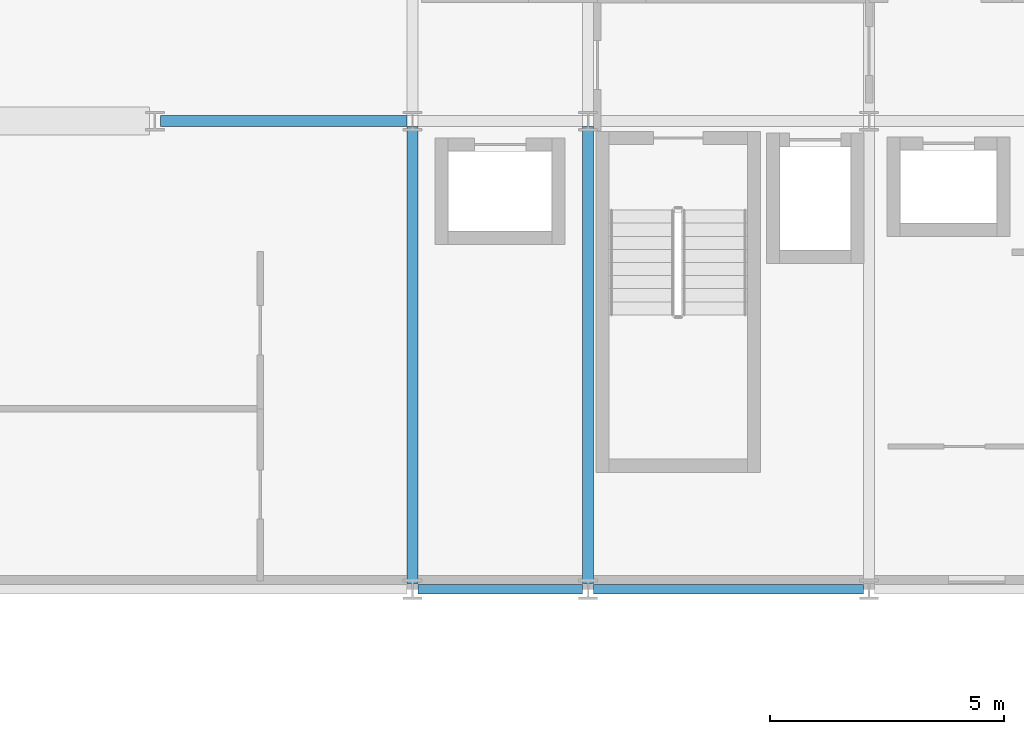
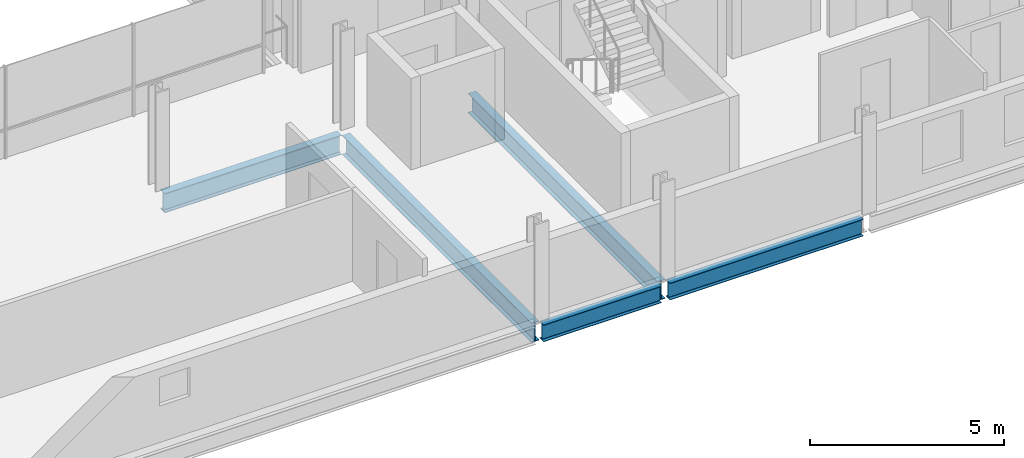
# One storey, part 12 of 41: 5 beams.
"""IFC4 building model written with IfcOpenShell, lengths in metres."""

from ifc_helpers import new_model, si_unit, direction, frame, origin, origin_2d, place, context, subcontext, project, spatial, i_section, extrude, material, material_profile, profile_set, type_object, element, save


model = new_model("IFC4")

# Units and contexts
model_context = context("Model", 3, precision=1e-05, world=origin(), true_north=direction((0.0, 1.0)))
body_context = subcontext(model_context, "Body", "Model", "MODEL_VIEW")
ifc_project = project(units=[si_unit("LENGTHUNIT", "METRE"), si_unit("AREAUNIT", "SQUARE_METRE"), si_unit("VOLUMEUNIT", "CUBIC_METRE"), si_unit("PLANEANGLEUNIT", "RADIAN"), si_unit("MASSUNIT", "GRAM", prefix="KILO")], contexts=[model_context])

# Site, building, storey
site_placement = place(None, origin())
site = spatial("IfcSite", under=ifc_project, at=site_placement, CompositionType="ELEMENT")
building_placement = place(site_placement, origin())
building = spatial("IfcBuilding", under=site, at=building_placement, Name="Brevholm Reach", CompositionType="ELEMENT")
storey_placement = place(building_placement, frame((0.0, 0.0, 100.39990234375)))
storey = spatial("IfcBuildingStorey", under=building, at=storey_placement, Name="L29", CompositionType="ELEMENT", Elevation=100.39990234375)

# Beams
ifc_material_1 = material(Name="Structural Steel S355J2", Category="steel")
ifc_material_profile_1 = material_profile(ifc_material_1, i_section(OverallWidth=0.209228515625, OverallDepth=0.533203125, WebThickness=0.010009765625, FlangeThickness=0.015625, FilletRadius=0.0126953125, at=origin_2d()), Name="UKB 533x210x92")
ifc_profile_set_1 = profile_set([ifc_material_profile_1], Name="Structural Steel S355J2")
beam_type_1 = type_object("IfcBeamType", Name="BM-SP533", PredefinedType="SPANDREL", material=ifc_profile_set_1)
beam_1_placement = place(storey_placement, frame((38.3701171875, 0.0, -0.486572265625), z_axis=(1.0, 0.0, 0.0), x_axis=(0.0, 1.0, 0.0)))
element("IfcBeam", 1, at=beam_1_placement, inside=storey, type_object=beam_type_1, Name="L29 SP-02 Framing Beam", PredefinedType="SPANDREL", context=body_context, shape_type="SweptSolid", body=[
    extrude(i_section(OverallWidth=0.209228515625, OverallDepth=0.533203125, WebThickness=0.010009765625, FlangeThickness=0.015625, FilletRadius=0.0126953125, at=origin_2d()), origin(), (0.0, 0.0, 1.0), 3.509765625),
])
beam_2_placement = place(storey_placement, frame((42.1201171875, 0.0, -0.486572265625), z_axis=(1.0, 0.0, 0.0), x_axis=(0.0, 1.0, 0.0)))
element("IfcBeam", 2, at=beam_2_placement, inside=storey, type_object=beam_type_1, Name="L29 SP-02 Framing Beam", PredefinedType="SPANDREL", context=body_context, shape_type="SweptSolid", body=[
    extrude(i_section(OverallWidth=0.209228515625, OverallDepth=0.533203125, WebThickness=0.010009765625, FlangeThickness=0.015625, FilletRadius=0.0126953125, at=origin_2d()), origin(), (0.0, 0.0, 1.0), 5.759765625),
])
ifc_material_2 = material(Name="Structural Steel S355J2", Category="steel")
ifc_material_profile_2 = material_profile(ifc_material_2, i_section(OverallWidth=0.22900390625, OverallDepth=0.6123046875, WebThickness=0.011962890625, FlangeThickness=0.01953125, FilletRadius=0.0126953125, at=origin_2d()), Name="UKB 610x229x125")
ifc_profile_set_2 = profile_set([ifc_material_profile_2], Name="Structural Steel S355J2")
beam_type_2 = type_object("IfcBeamType", Name="BM-SP610", PredefinedType="SPANDREL", material=ifc_profile_set_2)
beam_3_placement = place(storey_placement, frame((32.8701171875, 10.0, -0.526123046875), z_axis=(1.0, 0.0, 0.0), x_axis=(0.0, 1.0, 0.0)))
element("IfcBeam", 3, at=beam_3_placement, inside=storey, type_object=beam_type_2, Name="L29 SP-01 Framing Beam", PredefinedType="SPANDREL", context=body_context, shape_type="SweptSolid", body=[
    extrude(i_section(OverallWidth=0.22900390625, OverallDepth=0.6123046875, WebThickness=0.011962890625, FlangeThickness=0.01953125, FilletRadius=0.0126953125, at=origin_2d()), origin(), (0.0, 0.0, 1.0), 5.259765625),
])
for number, where, z_axis, x_axis, name in (
    (4, (38.25, 0.1201171875, -0.526123046875), (0.0, 1.0, 0.0), (-1.0, 0.0, 0.0), "L29 SP-01 Framing Beam"),
    (5, (42.0, 0.1201171875, -0.526123046875), (0.0, 1.0, 0.0), (-1.0, 0.0, 0.0), "L29 SP-01 Framing Beam"),
):
    element("IfcBeam", number, at=place(storey_placement, frame(where, z_axis=z_axis, x_axis=x_axis)), inside=storey, type_object=beam_type_2, Name=name, PredefinedType="SPANDREL", context=body_context, shape_type="SweptSolid", body=[
        extrude(i_section(OverallWidth=0.22900390625, OverallDepth=0.6123046875, WebThickness=0.011962890625, FlangeThickness=0.01953125, FilletRadius=0.0126953125, at=origin_2d()), origin(), (0.0, 0.0, 1.0), 9.759765625),
    ])

save(model, "model.ifc")
